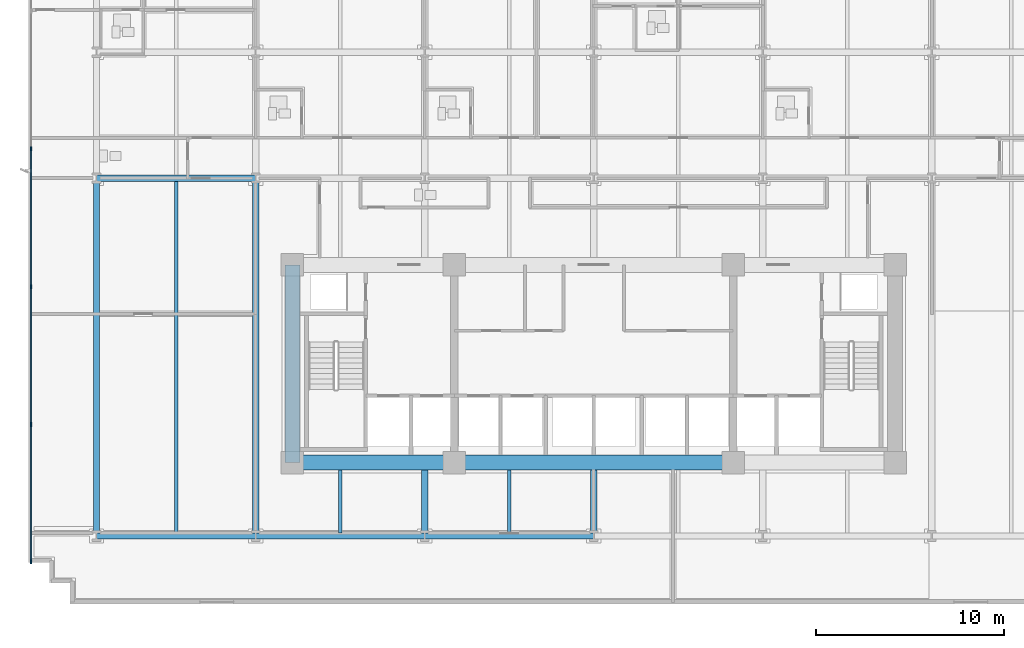
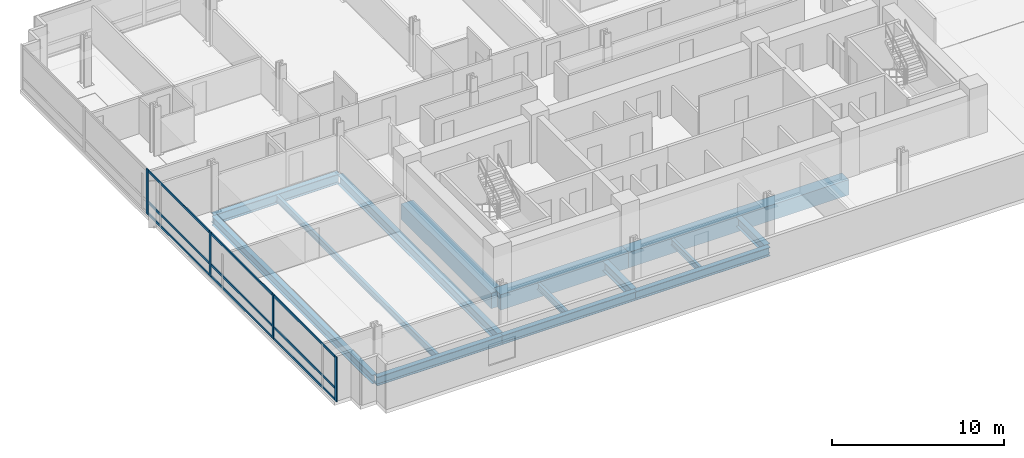
# One storey, part 2 of 15: 14 beams, 13 members, 1 element without a shape of its own.
"""IFC4 building model written with IfcOpenShell, lengths in metres."""

from ifc_helpers import new_model, si_unit, direction, frame, origin, origin_2d, place, context, subcontext, project, spatial, rectangle, i_section, extrude, material, material_profile, profile_set, type_object, element, aggregate, save


model = new_model("IFC4")

# Units and contexts
model_context = context("Model", 3, precision=1e-05, world=origin(), true_north=direction((0.0, 1.0)))
body_context = subcontext(model_context, "Body", "Model", "MODEL_VIEW")
ifc_project = project(units=[si_unit("LENGTHUNIT", "METRE"), si_unit("AREAUNIT", "SQUARE_METRE"), si_unit("VOLUMEUNIT", "CUBIC_METRE"), si_unit("PLANEANGLEUNIT", "RADIAN"), si_unit("MASSUNIT", "GRAM", prefix="KILO")], contexts=[model_context])

# Site, building, storey
site_placement = place(None, origin())
site = spatial("IfcSite", under=ifc_project, at=site_placement, CompositionType="ELEMENT")
building_placement = place(site_placement, origin())
building = spatial("IfcBuilding", under=site, at=building_placement, Name="Solmavex Isthmus Hotel", CompositionType="ELEMENT")
storey_placement = place(building_placement, frame((0.0, 0.0, 33.300048828125)))
storey = spatial("IfcBuildingStorey", under=building, at=storey_placement, Name="L08", CompositionType="ELEMENT", Elevation=33.300048828125)

# Beams
ifc_material_1 = material(Name="Steel ASTM A992 Grade 50", Category="steel")
ifc_material_profile_1 = material_profile(ifc_material_1, i_section(OverallWidth=0.354736328125, OverallDepth=0.695556640625, WebThickness=0.015380859375, FlangeThickness=0.02490234375, FilletRadius=0.017822265625, at=origin_2d()), Name="W27X146")
ifc_profile_set_1 = profile_set([ifc_material_profile_1], Name="Steel ASTM A992 Grade 50")
beam_type_1 = type_object("IfcBeamType", Name="BM-BG-W27X146", PredefinedType="BEAM", material=ifc_profile_set_1)
beam_1_placement = place(storey_placement, frame((-26.39990234375, 2.10009765625, -0.60791015625), z_axis=(1.0, 0.0, 0.0), x_axis=(0.0, 1.0, 0.0)))
element("IfcBeam", 1, at=beam_1_placement, inside=storey, type_object=beam_type_1, Name="Floor Girder L08-UG07", PredefinedType="BEAM", context=body_context, shape_type="SweptSolid", body=[
    extrude(i_section(OverallWidth=0.354736328125, OverallDepth=0.695556640625, WebThickness=0.015380859375, FlangeThickness=0.02490234375, FilletRadius=0.017822265625, at=origin_2d()), origin(), (0.0, 0.0, 1.0), 8.447998046875),
])
beam_2_placement = place(storey_placement, frame((-17.951904296875, -16.73681640625, -0.60791015625), z_axis=(0.0, 1.0, 0.0), x_axis=(-1.0, 0.0, 0.0)))
element("IfcBeam", 2, at=beam_2_placement, inside=storey, type_object=beam_type_1, Name="Floor Beam L08-VG28", PredefinedType="BEAM", context=body_context, shape_type="SweptSolid", body=[
    extrude(i_section(OverallWidth=0.354736328125, OverallDepth=0.695556640625, WebThickness=0.015380859375, FlangeThickness=0.02490234375, FilletRadius=0.017822265625, at=origin_2d()), origin(), (0.0, 0.0, 1.0), 18.659423828125),
])
for number, where, z_axis, x_axis, name in (
    (3, (-8.97607421875, -16.73681640625, -0.60791015625), (0.0, 1.0, 0.0), (-1.0, 0.0, 0.0), "Floor Beam L08-VG31"),
    (4, (0.0, -16.73681640625, -0.60791015625), (0.0, 1.0, 0.0), (-1.0, 0.0, 0.0), "Floor Beam L08-VG35"),
):
    element("IfcBeam", number, at=place(storey_placement, frame(where, z_axis=z_axis, x_axis=x_axis)), inside=storey, type_object=beam_type_1, Name=name, PredefinedType="BEAM", context=body_context, shape_type="SweptSolid", body=[
        extrude(i_section(OverallWidth=0.354736328125, OverallDepth=0.695556640625, WebThickness=0.015380859375, FlangeThickness=0.02490234375, FilletRadius=0.017822265625, at=origin_2d()), origin(), (0.0, 0.0, 1.0), 3.3369140625),
    ])
ifc_material_profile_2 = material_profile(ifc_material_1, i_section(OverallWidth=0.1904296875, OverallDepth=0.456787109375, WebThickness=0.009033203125, FlangeThickness=0.014404296875, FilletRadius=0.0126953125, at=origin_2d()), Name="W18X50")
ifc_profile_set_2 = profile_set([ifc_material_profile_2], Name="Steel ASTM A992 Grade 50")
beam_type_2 = type_object("IfcBeamType", Name="BM-BJ-W18X50", PredefinedType="JOIST", material=ifc_profile_set_2)
beam_3_placement = place(storey_placement, frame((-22.176025390625, -16.73681640625, -0.488525390625), z_axis=(0.0, 1.0, 0.0), x_axis=(-1.0, 0.0, 0.0)))
element("IfcBeam", 5, at=beam_3_placement, inside=storey, type_object=beam_type_2, Name="Secondary Floor Joist L08-J01", PredefinedType="JOIST", context=body_context, shape_type="SweptSolid", body=[
    extrude(i_section(OverallWidth=0.1904296875, OverallDepth=0.456787109375, WebThickness=0.009033203125, FlangeThickness=0.014404296875, FilletRadius=0.0126953125, at=origin_2d()), origin(), (0.0, 0.0, 1.0), 18.659423828125),
])
for number, where, z_axis, x_axis, name in (
    (6, (-13.464111328125, -16.73681640625, -0.488525390625), (0.0, 1.0, 0.0), (-1.0, 0.0, 0.0), "Secondary Floor Joist L08-J04"),
    (7, (-4.488037109375, -16.73681640625, -0.488525390625), (0.0, 1.0, 0.0), (-1.0, 0.0, 0.0), "Secondary Floor Joist L08-J08"),
):
    element("IfcBeam", number, at=place(storey_placement, frame(where, z_axis=z_axis, x_axis=x_axis)), inside=storey, type_object=beam_type_2, Name=name, PredefinedType="JOIST", context=body_context, shape_type="SweptSolid", body=[
        extrude(i_section(OverallWidth=0.1904296875, OverallDepth=0.456787109375, WebThickness=0.009033203125, FlangeThickness=0.014404296875, FilletRadius=0.0126953125, at=origin_2d()), origin(), (0.0, 0.0, 1.0), 3.3369140625),
    ])
ifc_material_2 = material(Name="Concrete C70/85", Category="concrete")
ifc_material_profile_3 = material_profile(ifc_material_2, rectangle(XDim=0.800048828125, YDim=1.10009765625, at=origin_2d()), Name="RC800X1100")
ifc_profile_set_3 = profile_set([ifc_material_profile_3], Name="Concrete C70/85")
beam_type_3 = type_object("IfcBeamType", Name="BM-CB-800X1100", PredefinedType="BEAM", material=ifc_profile_set_3)
beam_4_placement = place(storey_placement, frame((-16.0, -13.0, -0.81005859375), z_axis=(1.0, 0.0, 0.0), x_axis=(0.0, 1.0, 0.0)))
element("IfcBeam", 8, at=beam_4_placement, inside=storey, type_object=beam_type_3, Name="Core Coupling Beam L08-CB1", PredefinedType="BEAM", context=body_context, shape_type="SweptSolid", body=[
    extrude(rectangle(XDim=0.800048828125, YDim=1.10009765625, at=origin_2d()), origin(), (0.0, 0.0, 1.0), 8.60009765625),
])
beam_5_placement = place(storey_placement, frame((-7.39990234375, -13.0, -0.81005859375), z_axis=(1.0, 0.0, 0.0), x_axis=(0.0, 1.0, 0.0)))
element("IfcBeam", 9, at=beam_5_placement, inside=storey, type_object=beam_type_3, Name="Core Coupling Beam L08-CB2", PredefinedType="BEAM", context=body_context, shape_type="SweptSolid", body=[
    extrude(rectangle(XDim=0.800048828125, YDim=1.10009765625, at=origin_2d()), origin(), (0.0, 0.0, 1.0), 14.7998046875),
])
beam_6_placement = place(storey_placement, frame((-16.0, -13.0, -0.81005859375), z_axis=(0.0, 1.0, 0.0), x_axis=(-1.0, 0.0, 0.0)))
element("IfcBeam", 10, at=beam_6_placement, inside=storey, type_object=beam_type_3, Name="Core Coupling Beam L08-CB7", PredefinedType="BEAM", context=body_context, shape_type="SweptSolid", body=[
    extrude(rectangle(XDim=0.800048828125, YDim=1.10009765625, at=origin_2d()), origin(), (0.0, 0.0, 1.0), 10.5),
])
ifc_material_profile_4 = material_profile(ifc_material_1, i_section(OverallWidth=0.326416015625, OverallDepth=0.621826171875, WebThickness=0.015380859375, FlangeThickness=0.0244140625, FilletRadius=0.01513671875, at=origin_2d()), Name="W24X131")
ifc_profile_set_4 = profile_set([ifc_material_profile_4], Name="Steel ASTM A992 Grade 50")
beam_type_4 = type_object("IfcBeamType", Name="BM-SP-W24X131", PredefinedType="SPANDREL", material=ifc_profile_set_4)
beam_7_placement = place(storey_placement, frame((-26.39990234375, -16.89990234375, -0.571044921875), z_axis=(1.0, 0.0, 0.0), x_axis=(0.0, 1.0, 0.0)))
element("IfcBeam", 11, at=beam_7_placement, inside=storey, type_object=beam_type_4, Name="Floor Girder L08-UG01", PredefinedType="SPANDREL", context=body_context, shape_type="SweptSolid", body=[
    extrude(i_section(OverallWidth=0.326416015625, OverallDepth=0.621826171875, WebThickness=0.015380859375, FlangeThickness=0.0244140625, FilletRadius=0.01513671875, at=origin_2d()), origin(), (0.0, 0.0, 1.0), 8.447998046875),
])
beam_8_placement = place(storey_placement, frame((-17.951904296875, -16.89990234375, -0.571044921875), z_axis=(1.0, 0.0, 0.0), x_axis=(0.0, 1.0, 0.0)))
element("IfcBeam", 12, at=beam_8_placement, inside=storey, type_object=beam_type_4, Name="Floor Girder L08-UG02", PredefinedType="SPANDREL", context=body_context, shape_type="SweptSolid", body=[
    extrude(i_section(OverallWidth=0.326416015625, OverallDepth=0.621826171875, WebThickness=0.015380859375, FlangeThickness=0.0244140625, FilletRadius=0.01513671875, at=origin_2d()), origin(), (0.0, 0.0, 1.0), 8.975830078125),
])
beam_9_placement = place(storey_placement, frame((-8.97607421875, -16.89990234375, -0.571044921875), z_axis=(1.0, 0.0, 0.0), x_axis=(0.0, 1.0, 0.0)))
element("IfcBeam", 13, at=beam_9_placement, inside=storey, type_object=beam_type_4, Name="Floor Girder L08-UG03", PredefinedType="SPANDREL", context=body_context, shape_type="SweptSolid", body=[
    extrude(i_section(OverallWidth=0.326416015625, OverallDepth=0.621826171875, WebThickness=0.015380859375, FlangeThickness=0.0244140625, FilletRadius=0.01513671875, at=origin_2d()), origin(), (0.0, 0.0, 1.0), 8.97607421875),
])
beam_10_placement = place(storey_placement, frame((-26.39990234375, -16.73681640625, -0.571044921875), z_axis=(0.0, 1.0, 0.0), x_axis=(-1.0, 0.0, 0.0)))
element("IfcBeam", 14, at=beam_10_placement, inside=storey, type_object=beam_type_4, Name="Floor Beam L08-VG25", PredefinedType="SPANDREL", context=body_context, shape_type="SweptSolid", body=[
    extrude(i_section(OverallWidth=0.326416015625, OverallDepth=0.621826171875, WebThickness=0.015380859375, FlangeThickness=0.0244140625, FilletRadius=0.01513671875, at=origin_2d()), origin(), (0.0, 0.0, 1.0), 18.659423828125),
])

# Curtain wall, members
ifc_material_3 = material(Name="Aluminium alloy 6063-T6", Category="aluminium")
curtain_wall_type = type_object("IfcCurtainWallType", Name="CW-SYS-02", PredefinedType="NOTDEFINED", material=ifc_material_3)
curtain_wall_placement = place(storey_placement, origin())
curtain_wall = element("IfcCurtainWall", 15, at=curtain_wall_placement, inside=storey, type_object=curtain_wall_type, Name="Stick Curtain Wall CWL-L08-W1", PredefinedType="NOTDEFINED")
ifc_material_profile_5 = material_profile(ifc_material_3, rectangle(XDim=0.074951171875, YDim=0.219970703125, at=origin_2d()), Name="CWM-75X220")
ifc_profile_set_5 = profile_set([ifc_material_profile_5], Name="Aluminium alloy 6063-T6")
member_type_1 = type_object("IfcMemberType", Name="CW-SYS-02-MUL", PredefinedType="MULLION", material=ifc_profile_set_5)
member_1_placement = place(storey_placement, frame((-29.8798828125, -18.262451171875, 0.0), z_axis=(0.0, 0.0, 1.0), x_axis=(-1.0, 0.0, 0.0)))
member_1 = element("IfcMember", 16, at=member_1_placement, type_object=member_type_1, Name="CW-02 mullion 1", PredefinedType="MULLION", context=body_context, shape_type="SweptSolid", body=[
    extrude(rectangle(XDim=0.074951171875, YDim=0.219970703125, at=origin_2d()), origin(), (0.0, 0.0, 1.0), 3.18994140625),
])
member_2_placement = place(storey_placement, frame((-29.8798828125, -10.97998046875, 0.0), z_axis=(0.0, 0.0, 1.0), x_axis=(-1.0, 0.0, 0.0)))
member_2 = element("IfcMember", 17, at=member_2_placement, type_object=member_type_1, Name="CW-02 mullion 2", PredefinedType="MULLION", context=body_context, shape_type="SweptSolid", body=[
    extrude(rectangle(XDim=0.074951171875, YDim=0.219970703125, at=origin_2d()), origin(), (0.0, 0.0, 1.0), 3.18994140625),
])
member_3_placement = place(storey_placement, frame((-29.8798828125, -3.659912109375, 0.0), z_axis=(0.0, 0.0, 1.0), x_axis=(-1.0, 0.0, 0.0)))
member_3 = element("IfcMember", 18, at=member_3_placement, type_object=member_type_1, Name="CW-02 mullion 3", PredefinedType="MULLION", context=body_context, shape_type="SweptSolid", body=[
    extrude(rectangle(XDim=0.074951171875, YDim=0.219970703125, at=origin_2d()), origin(), (0.0, 0.0, 1.0), 3.18994140625),
])
member_4_placement = place(storey_placement, frame((-29.8798828125, 3.659912109375, 0.0), z_axis=(0.0, 0.0, 1.0), x_axis=(-1.0, 0.0, 0.0)))
member_4 = element("IfcMember", 19, at=member_4_placement, type_object=member_type_1, Name="CW-02 mullion 4", PredefinedType="MULLION", context=body_context, shape_type="SweptSolid", body=[
    extrude(rectangle(XDim=0.074951171875, YDim=0.219970703125, at=origin_2d()), origin(), (0.0, 0.0, 1.0), 3.18994140625),
])
ifc_material_profile_6 = material_profile(ifc_material_3, rectangle(XDim=0.074951171875, YDim=0.159912109375, at=origin_2d()), Name="CWT-75X160")
ifc_profile_set_6 = profile_set([ifc_material_profile_6], Name="Aluminium alloy 6063-T6")
member_type_2 = type_object("IfcMemberType", Name="CW-SYS-02-TRN", PredefinedType="USERDEFINED", material=ifc_profile_set_6)
member_5_placement = place(storey_placement, frame((-29.8798828125, -18.22509765625, 0.079833984375), z_axis=(0.0, 1.0, 0.0), x_axis=(-1.0, 0.0, 0.0)))
member_5 = element("IfcMember", 20, at=member_5_placement, type_object=member_type_2, Name="CW-02 transom 1.1", ObjectType="TRANSOM", PredefinedType="USERDEFINED", context=body_context, shape_type="SweptSolid", body=[
    extrude(rectangle(XDim=0.074951171875, YDim=0.159912109375, at=origin_2d()), origin(), (0.0, 0.0, 1.0), 7.20751953125),
])
member_6_placement = place(storey_placement, frame((-29.8798828125, -18.22509765625, 0.89990234375), z_axis=(0.0, 1.0, 0.0), x_axis=(-1.0, 0.0, 0.0)))
member_6 = element("IfcMember", 21, at=member_6_placement, type_object=member_type_2, Name="CW-02 transom 1.2", ObjectType="TRANSOM", PredefinedType="USERDEFINED", context=body_context, shape_type="SweptSolid", body=[
    extrude(rectangle(XDim=0.074951171875, YDim=0.159912109375, at=origin_2d()), origin(), (0.0, 0.0, 1.0), 7.20751953125),
])
member_7_placement = place(storey_placement, frame((-29.8798828125, -18.22509765625, 3.10986328125), z_axis=(0.0, 1.0, 0.0), x_axis=(-1.0, 0.0, 0.0)))
member_7 = element("IfcMember", 22, at=member_7_placement, type_object=member_type_2, Name="CW-02 transom 1.3", ObjectType="TRANSOM", PredefinedType="USERDEFINED", context=body_context, shape_type="SweptSolid", body=[
    extrude(rectangle(XDim=0.074951171875, YDim=0.159912109375, at=origin_2d()), origin(), (0.0, 0.0, 1.0), 7.20751953125),
])
member_8_placement = place(storey_placement, frame((-29.8798828125, -10.9423828125, 0.079833984375), z_axis=(0.0, 1.0, 0.0), x_axis=(-1.0, 0.0, 0.0)))
member_8 = element("IfcMember", 23, at=member_8_placement, type_object=member_type_2, Name="CW-02 transom 2.1", ObjectType="TRANSOM", PredefinedType="USERDEFINED", context=body_context, shape_type="SweptSolid", body=[
    extrude(rectangle(XDim=0.074951171875, YDim=0.159912109375, at=origin_2d()), origin(), (0.0, 0.0, 1.0), 7.244873046875),
])
member_9_placement = place(storey_placement, frame((-29.8798828125, -10.9423828125, 0.89990234375), z_axis=(0.0, 1.0, 0.0), x_axis=(-1.0, 0.0, 0.0)))
member_9 = element("IfcMember", 24, at=member_9_placement, type_object=member_type_2, Name="CW-02 transom 2.2", ObjectType="TRANSOM", PredefinedType="USERDEFINED", context=body_context, shape_type="SweptSolid", body=[
    extrude(rectangle(XDim=0.074951171875, YDim=0.159912109375, at=origin_2d()), origin(), (0.0, 0.0, 1.0), 7.244873046875),
])
member_10_placement = place(storey_placement, frame((-29.8798828125, -10.9423828125, 3.10986328125), z_axis=(0.0, 1.0, 0.0), x_axis=(-1.0, 0.0, 0.0)))
member_10 = element("IfcMember", 25, at=member_10_placement, type_object=member_type_2, Name="CW-02 transom 2.3", ObjectType="TRANSOM", PredefinedType="USERDEFINED", context=body_context, shape_type="SweptSolid", body=[
    extrude(rectangle(XDim=0.074951171875, YDim=0.159912109375, at=origin_2d()), origin(), (0.0, 0.0, 1.0), 7.244873046875),
])
member_11_placement = place(storey_placement, frame((-29.8798828125, -3.62255859375, 0.079833984375), z_axis=(0.0, 1.0, 0.0), x_axis=(-1.0, 0.0, 0.0)))
member_11 = element("IfcMember", 26, at=member_11_placement, type_object=member_type_2, Name="CW-02 transom 3.1", ObjectType="TRANSOM", PredefinedType="USERDEFINED", context=body_context, shape_type="SweptSolid", body=[
    extrude(rectangle(XDim=0.074951171875, YDim=0.159912109375, at=origin_2d()), origin(), (0.0, 0.0, 1.0), 7.2451171875),
])
member_12_placement = place(storey_placement, frame((-29.8798828125, -3.62255859375, 0.89990234375), z_axis=(0.0, 1.0, 0.0), x_axis=(-1.0, 0.0, 0.0)))
member_12 = element("IfcMember", 27, at=member_12_placement, type_object=member_type_2, Name="CW-02 transom 3.2", ObjectType="TRANSOM", PredefinedType="USERDEFINED", context=body_context, shape_type="SweptSolid", body=[
    extrude(rectangle(XDim=0.074951171875, YDim=0.159912109375, at=origin_2d()), origin(), (0.0, 0.0, 1.0), 7.2451171875),
])
member_13_placement = place(storey_placement, frame((-29.8798828125, -3.62255859375, 3.10986328125), z_axis=(0.0, 1.0, 0.0), x_axis=(-1.0, 0.0, 0.0)))
member_13 = element("IfcMember", 28, at=member_13_placement, type_object=member_type_2, Name="CW-02 transom 3.3", ObjectType="TRANSOM", PredefinedType="USERDEFINED", context=body_context, shape_type="SweptSolid", body=[
    extrude(rectangle(XDim=0.074951171875, YDim=0.159912109375, at=origin_2d()), origin(), (0.0, 0.0, 1.0), 7.2451171875),
])
aggregate(curtain_wall, [member_1, member_2, member_3, member_4, member_5, member_6, member_7, member_8, member_9, member_10, member_11, member_12, member_13])

save(model, "model.ifc")
